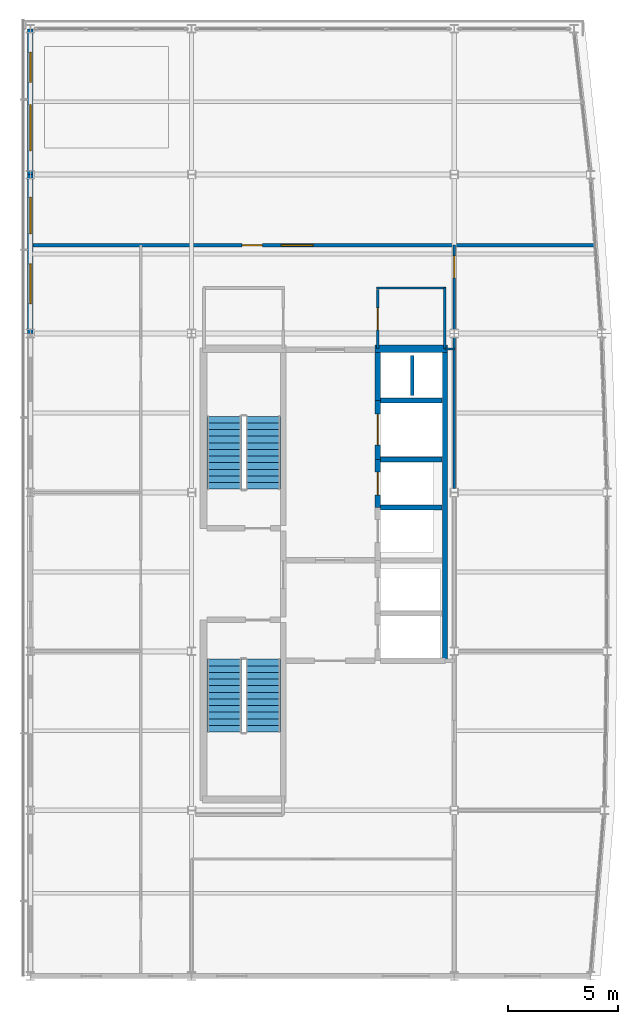
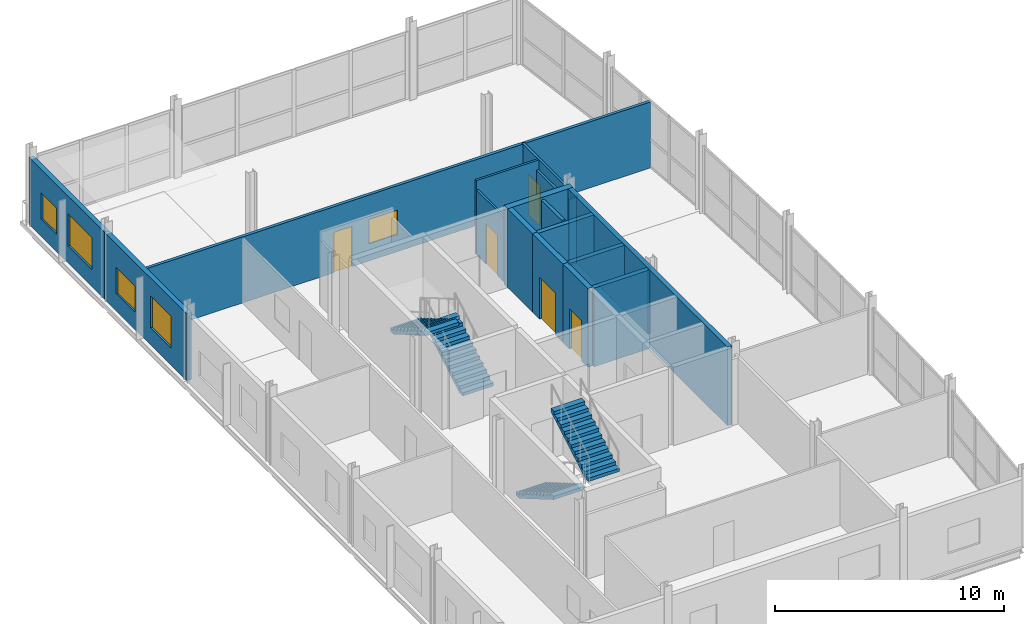
# One storey, part 13 of 16: 18 walls, 5 doors, 5 windows, 4 stair flights, 10 openings, 2 elements without a shape of their own.
"""IFC4 building model written with IfcOpenShell, lengths in metres."""

from ifc_helpers import new_model, si_unit, direction, frame, frame_2d, origin, place, context, subcontext, project, spatial, polyline, rectangle, outline, extrude, material, layer, layer_set, type_object, element, fill, aggregate, save


model = new_model("IFC4")

# Units and contexts
model_context = context("Model", 3, precision=1e-05, world=origin(), true_north=direction((0.0, 1.0)))
body_context = subcontext(model_context, "Body", "Model", "MODEL_VIEW")
ifc_project = project(units=[si_unit("LENGTHUNIT", "METRE"), si_unit("AREAUNIT", "SQUARE_METRE"), si_unit("VOLUMEUNIT", "CUBIC_METRE"), si_unit("PLANEANGLEUNIT", "RADIAN"), si_unit("MASSUNIT", "GRAM", prefix="KILO")], contexts=[model_context])

# Site, building, storey
site_placement = place(None, origin())
site = spatial("IfcSite", under=ifc_project, at=site_placement, CompositionType="ELEMENT")
building_placement = place(site_placement, origin())
building = spatial("IfcBuilding", under=site, at=building_placement, Name="Quillay Park Conservatory", CompositionType="ELEMENT")
storey_placement = place(building_placement, frame((0.0, 0.0, 39.300048828125)))
storey = spatial("IfcBuildingStorey", under=building, at=storey_placement, Name="L09", CompositionType="ELEMENT", Elevation=39.300048828125)

# Wall
ifc_material_1 = material(Name="Steel-Stud Acoustic Gypsum Board Partition", Category="steel")
ifc_layer_1 = layer(ifc_material_1, 0.10009765625)
ifc_layer_set_1 = layer_set([ifc_layer_1], Name="ACOUSTIC GYPSUM PARTITION 100 (Steel-Stud Acoustic Gypsum Board Partition)")
wall_type_1 = type_object("IfcWallType", Name="ACOUSTIC GYPSUM PARTITION 100", PredefinedType="PARTITIONING", material=ifc_layer_set_1)
wall_1_placement = place(storey_placement, frame((19.75, 98.89990234375, 0.0), z_axis=(0.0, 0.0, 1.0), x_axis=(-1.0, 0.0, 0.0)))
element("IfcWall", 1, at=wall_1_placement, inside=storey, type_object=wall_type_1, Name="L09 Core North-East Closure", PredefinedType="PARTITIONING", context=body_context, shape_type="SweptSolid", body=[
    extrude(rectangle(XDim=0.429931640625, YDim=0.10009765625, at=frame_2d((0.21484375, 0.0))), origin(), (0.0, 0.0, 1.0), 3.52685546875),
])

# Wall, opening, door
ifc_material_2 = material(Name="Steel-Stud Acoustic Gypsum Board Partition", Category="steel")
ifc_layer_2 = layer(ifc_material_2, 0.10498046875)
ifc_layer_set_2 = layer_set([ifc_layer_2], Name="ACOUSTIC GYPSUM PARTITION 105 (Steel-Stud Acoustic Gypsum Board Partition)")
wall_type_2 = type_object("IfcWallType", Name="ACOUSTIC GYPSUM PARTITION 105", PredefinedType="PARTITIONING", material=ifc_layer_set_2)
wall_2_placement = place(storey_placement, frame((16.280029296875, 98.919921875, 0.0), z_axis=(0.0, 0.0, 1.0), x_axis=(0.0, 1.0, 0.0)))
wall_2 = element("IfcWall", 2, at=wall_2_placement, inside=storey, type_object=wall_type_2, Name="L09 Washroom Door Wall", PredefinedType="PARTITIONING", context=body_context, shape_type="SweptSolid", body=[
    extrude(rectangle(XDim=2.68017578125, YDim=0.10498046875, at=frame_2d((1.340087890625, 0.0))), origin(), (0.0, 0.0, 1.0), 3.450927734375),
])
opening_1_placement = place(wall_2_placement, frame((0.840087890625, 0.0, 0.0)))
opening_1 = element("IfcOpeningElement", 3, at=opening_1_placement, cuts=wall_2, Name="Opening D-RM09", PredefinedType="OPENING", context=body_context, shape_type="SweptSolid", body=[
    extrude(rectangle(XDim=1.0, YDim=2.14990234375, at=frame_2d((0.5, 1.074951171875))), frame((0.0, 0.052490234375, 0.0), z_axis=(0.0, -1.0, 0.0), x_axis=(1.0, 0.0, 0.0)), (0.0, 0.0, 1.0), 0.10498046875),
])
ifc_material_3 = material(Name="Thermally Broken Anodised Aluminium 6063-T6", Category="aluminium")
door_type_1 = type_object("IfcDoorType", Name="SINGLE SWING DOOR 1000 X2150", OperationType="NOTDEFINED", PredefinedType="DOOR", material=ifc_material_3)
door_1_placement = place(opening_1_placement, origin())
door_1 = element("IfcDoor", 4, at=door_1_placement, inside=storey, type_object=door_type_1, Name="L09 Door to L09 Restroom and Washroom", OperationType="SINGLE_SWING_RIGHT", OverallHeight=2.14990234375, OverallWidth=1.0, PredefinedType="DOOR", context=body_context, shape_type="SweptSolid", body=[
    extrude(rectangle(XDim=1.0, YDim=2.14990234375, at=frame_2d((0.5, 1.074951171875))), frame((0.0, 0.02490234375, 0.0), z_axis=(0.0, -1.0, 0.0), x_axis=(1.0, 0.0, 0.0)), (0.0, 0.0, 1.0), 0.050048828125),
])
fill(opening_1, door_1)

# Walls
ifc_material_4 = material(Name="Steel-Stud Acoustic Gypsum Board Partition", Category="steel")
ifc_layer_3 = layer(ifc_material_4, 0.110107421875)
ifc_layer_set_3 = layer_set([ifc_layer_3], Name="ACOUSTIC GYPSUM PARTITION 110 (Steel-Stud Acoustic Gypsum Board Partition)")
wall_type_3 = type_object("IfcWallType", Name="ACOUSTIC GYPSUM PARTITION 110", PredefinedType="PARTITIONING", material=ifc_layer_set_3)
wall_3_placement = place(storey_placement, frame((19.3798828125, 101.659912109375, 0.0), z_axis=(0.0, 0.0, 1.0), x_axis=(-1.0, 0.0, 0.0)))
element("IfcWall", 5, at=wall_3_placement, inside=storey, type_object=wall_type_3, Name="L09 Washroom North Wall", PredefinedType="PARTITIONING", context=body_context, shape_type="SweptSolid", body=[
    extrude(rectangle(XDim=3.159912109375, YDim=0.110107421875, at=frame_2d((1.580078125, 0.0))), origin(), (0.0, 0.0, 1.0), 3.949951171875),
])
ifc_material_5 = material(Name="Steel-Stud Acoustic Gypsum Board Partition", Category="steel")
ifc_layer_4 = layer(ifc_material_5, 0.114990234375)
ifc_layer_set_4 = layer_set([ifc_layer_4], Name="ACOUSTIC GYPSUM PARTITION 115 (Steel-Stud Acoustic Gypsum Board Partition)")
wall_type_4 = type_object("IfcWallType", Name="ACOUSTIC GYPSUM PARTITION 115", PredefinedType="PARTITIONING", material=ifc_layer_set_4)
wall_4_placement = place(storey_placement, frame((19.320068359375, 98.919921875, 0.0), z_axis=(0.0, 0.0, 1.0), x_axis=(0.0, 1.0, 0.0)))
element("IfcWall", 6, at=wall_4_placement, inside=storey, type_object=wall_type_4, Name="L09 Washroom East Wall", PredefinedType="PARTITIONING", context=body_context, shape_type="SweptSolid", body=[
    extrude(rectangle(XDim=2.739990234375, YDim=0.114990234375, at=frame_2d((1.3701171875, 0.0))), origin(), (0.0, 0.0, 1.0), 3.450927734375),
])

# Wall, opening, door
ifc_material_6 = material(Name="Steel-Stud Acoustic Gypsum Board Partition", Category="steel")
ifc_layer_5 = layer(ifc_material_6, 0.1201171875)
ifc_layer_set_5 = layer_set([ifc_layer_5], Name="ACOUSTIC GYPSUM PARTITION 120 (Steel-Stud Acoustic Gypsum Board Partition)")
wall_type_5 = type_object("IfcWallType", Name="ACOUSTIC GYPSUM PARTITION 120", PredefinedType="PARTITIONING", material=ifc_layer_set_5)
wall_5_placement = place(storey_placement, frame((19.75, 99.777099609375, 0.0), z_axis=(0.0, 0.0, 1.0), x_axis=(0.0, 1.0, 0.0)))
wall_5 = element("IfcWall", 7, at=wall_5_placement, inside=storey, type_object=wall_type_5, Name="L09 L09 Genomics Bioassay Wet Laboratory West Wall 3", PredefinedType="PARTITIONING", context=body_context, shape_type="SweptSolid", body=[
    extrude(rectangle(XDim=3.822998046875, YDim=0.1201171875, at=frame_2d((1.91162109375, 0.0))), origin(), (0.0, 0.0, 1.0), 3.52685546875),
])
opening_2_placement = place(wall_5_placement, frame((2.343017578125, 0.0, 0.0)))
opening_2 = element("IfcOpeningElement", 8, at=opening_2_placement, cuts=wall_5, Name="Opening D-RM09", PredefinedType="OPENING", context=body_context, shape_type="SweptSolid", body=[
    extrude(rectangle(XDim=1.0, YDim=2.14990234375, at=frame_2d((0.5, 1.074951171875))), frame((0.0, 0.06005859375, 0.0), z_axis=(0.0, -1.0, 0.0), x_axis=(1.0, 0.0, 0.0)), (0.0, 0.0, 1.0), 0.1201171875),
])
door_2_placement = place(opening_2_placement, origin())
door_2 = element("IfcDoor", 9, at=door_2_placement, inside=storey, type_object=door_type_1, Name="L09 Door to L09 Genomics Bioassay Wet Laboratory", OperationType="SINGLE_SWING_LEFT", OverallHeight=2.14990234375, OverallWidth=1.0, PredefinedType="DOOR", context=body_context, shape_type="SweptSolid", body=[
    extrude(rectangle(XDim=1.0, YDim=2.14990234375, at=frame_2d((0.5, 1.074951171875))), frame((0.0, 0.02490234375, 0.0), z_axis=(0.0, -1.0, 0.0), x_axis=(1.0, 0.0, 0.0)), (0.0, 0.0, 1.0), 0.050048828125),
])
fill(opening_2, door_2)

# Wall
ifc_material_7 = material(Name="Steel-Stud Acoustic Gypsum Board Partition", Category="steel")
ifc_layer_6 = layer(ifc_material_7, 0.125)
ifc_layer_set_6 = layer_set([ifc_layer_6], Name="ACOUSTIC GYPSUM PARTITION 125 (Steel-Stud Acoustic Gypsum Board Partition)")
wall_type_6 = type_object("IfcWallType", Name="ACOUSTIC GYPSUM PARTITION 125", PredefinedType="PARTITIONING", material=ifc_layer_set_6)
wall_6_placement = place(storey_placement, frame((19.75, 92.58056640625, 0.0), z_axis=(0.0, 0.0, 1.0), x_axis=(0.0, 1.0, 0.0)))
element("IfcWall", 10, at=wall_6_placement, inside=storey, type_object=wall_type_6, Name="L09 L09 Genomics Bioassay Wet Laboratory West Wall 2", PredefinedType="PARTITIONING", context=body_context, shape_type="SweptSolid", body=[
    extrude(rectangle(XDim=6.842529296875, YDim=0.125, at=frame_2d((3.42138671875, 0.0))), origin(), (0.0, 0.0, 1.0), 3.52685546875),
])

# Wall, openings, window, door
ifc_material_8 = material(Name="Steel-Stud Acoustic Gypsum Board Partition", Category="steel")
ifc_layer_7 = layer(ifc_material_8, 0.14990234375)
ifc_layer_set_7 = layer_set([ifc_layer_7], Name="ACOUSTIC GYPSUM PARTITION 150 (Steel-Stud Acoustic Gypsum Board Partition)")
wall_type_7 = type_object("IfcWallType", Name="ACOUSTIC GYPSUM PARTITION 150", PredefinedType="PARTITIONING", material=ifc_layer_set_7)
wall_7_placement = place(storey_placement, frame((0.64990234375, 103.60009765625, 0.0), z_axis=(0.0, 0.0, 1.0), x_axis=(1.0, 0.0, 0.0)))
wall_7 = element("IfcWall", 11, at=wall_7_placement, inside=storey, type_object=wall_type_7, Name="L09 L09 Plant Genomics Sequencing Research Laboratory South Wall", PredefinedType="PARTITIONING", context=body_context, shape_type="SweptSolid", body=[
    extrude(rectangle(XDim=25.51513671875, YDim=0.14990234375, at=frame_2d((12.757568359375, 0.0))), origin(), (0.0, 0.0, 1.0), 3.52685546875),
])
opening_3_placement = place(wall_7_placement, frame((9.489990234375, 0.0, 0.0)))
opening_3 = element("IfcOpeningElement", 12, at=opening_3_placement, cuts=wall_7, Name="Opening D-RM07", PredefinedType="OPENING", context=body_context, shape_type="SweptSolid", body=[
    extrude(rectangle(XDim=0.919921875, YDim=2.14990234375, at=frame_2d((0.4599609375, 1.074951171875))), frame((0.0, 0.074951171875, 0.0), z_axis=(0.0, -1.0, 0.0), x_axis=(1.0, 0.0, 0.0)), (0.0, 0.0, 1.0), 0.14990234375),
])
opening_4_placement = place(wall_7_placement, frame((11.260009765625, 0.0, 0.919921875)))
opening_4 = element("IfcOpeningElement", 13, at=opening_4_placement, cuts=wall_7, Name="Opening W-IN12", PredefinedType="OPENING", context=body_context, shape_type="SweptSolid", body=[
    extrude(rectangle(XDim=1.449951171875, YDim=1.300048828125, at=frame_2d((0.72509765625, 0.64990234375))), frame((0.0, 0.074951171875, 0.0), z_axis=(0.0, -1.0, 0.0), x_axis=(1.0, 0.0, 0.0)), (0.0, 0.0, 1.0), 0.14990234375),
])
ifc_material_9 = material(Name="Low-E Double Glazing (Laminated Tempered)", Category="glass")
window_type_1 = type_object("IfcWindowType", Name="OPERABLE VENT WINDOW 1450 X1300", PartitioningType="SINGLE_PANEL", PredefinedType="WINDOW", material=ifc_material_9)
window_1_placement = place(opening_4_placement, origin())
window_1 = element("IfcWindow", 14, at=window_1_placement, inside=storey, type_object=window_type_1, Name="L09 Laboratory Vision Panel 036", OverallHeight=1.300048828125, OverallWidth=1.449951171875, PartitioningType="SINGLE_PANEL", PredefinedType="WINDOW", context=body_context, shape_type="SweptSolid", body=[
    extrude(rectangle(XDim=1.449951171875, YDim=1.300048828125, at=frame_2d((0.72509765625, 0.64990234375))), frame((0.0, 0.030029296875, 0.0), z_axis=(0.0, -1.0, 0.0), x_axis=(1.0, 0.0, 0.0)), (0.0, 0.0, 1.0), 0.06005859375),
])
fill(opening_4, window_1)
ifc_material_10 = material(Name="Thermally Broken Anodised Aluminium 6063-T6", Category="aluminium")
door_type_2 = type_object("IfcDoorType", Name="SINGLE SWING DOOR 920 X2150", OperationType="NOTDEFINED", PredefinedType="DOOR", material=ifc_material_10)
door_3_placement = place(opening_3_placement, origin())
door_3 = element("IfcDoor", 15, at=door_3_placement, inside=storey, type_object=door_type_2, Name="L09 Door to L09 Plant Genomics Sequencing Research Laboratory", OperationType="SINGLE_SWING_LEFT", OverallHeight=2.14990234375, OverallWidth=0.919921875, PredefinedType="DOOR", context=body_context, shape_type="SweptSolid", body=[
    extrude(rectangle(XDim=0.919921875, YDim=2.14990234375, at=frame_2d((0.4599609375, 1.074951171875))), frame((0.0, 0.02490234375, 0.0), z_axis=(0.0, -1.0, 0.0), x_axis=(1.0, 0.0, 0.0)), (0.0, 0.0, 1.0), 0.050048828125),
])
fill(opening_3, door_3)

# Walls
ifc_material_11 = material(Name="Concrete C35/45 (NCh170 Concrete C35/45)", Category="concrete")
ifc_layer_8 = layer(ifc_material_11, 0.22509765625)
ifc_layer_set_8 = layer_set([ifc_layer_8], Name="CORE SHEAR WALL 225 (Concrete C35/45 (NCh170 Concrete C35/45))")
wall_type_8 = type_object("IfcWallType", Name="CORE SHEAR WALL 225", PredefinedType="SHEAR", material=ifc_layer_set_8)
wall_8_placement = place(storey_placement, frame((19.320068359375, 84.800048828125, 0.0), z_axis=(0.0, 0.0, 1.0), x_axis=(0.0, 1.0, 0.0)))
element("IfcWall", 16, at=wall_8_placement, inside=storey, type_object=wall_type_8, Name="L09 Core Shear Wall WL-LFBACK-L09", PredefinedType="SHEAR", context=body_context, shape_type="SweptSolid", body=[
    extrude(rectangle(XDim=13.949951171875, YDim=0.22509765625, at=frame_2d((6.97509765625, 0.0))), origin(), (0.0, 0.0, 1.0), 4.199951171875),
])
for number, where, z_axis, x_axis, name in (
    (17, (16.39990234375, 91.72509765625, 0.0), (0.0, 0.0, 1.0), (1.0, 0.0, 0.0), "L09 Core Shear Wall WL-LFDIV-L09-917"),
    (18, (16.39990234375, 93.89990234375, 0.0), (0.0, 0.0, 1.0), (1.0, 0.0, 0.0), "L09 Core Shear Wall WL-LFDIV-L09-939"),
    (19, (16.39990234375, 96.574951171875, 0.0), (0.0, 0.0, 1.0), (1.0, 0.0, 0.0), "L09 Core Shear Wall WL-LFDIV-L09-965"),
):
    element("IfcWall", number, at=place(storey_placement, frame(where, z_axis=z_axis, x_axis=x_axis)), inside=storey, type_object=wall_type_8, Name=name, PredefinedType="SHEAR", context=body_context, shape_type="SweptSolid", body=[
        extrude(rectangle(XDim=2.800048828125, YDim=0.22509765625, at=frame_2d((1.39990234375, 0.0))), origin(), (0.0, 0.0, 1.0), 4.199951171875),
    ])

# Wall, opening, door
ifc_material_12 = material(Name="Concrete C40/50 (NCh170 Concrete C40/50)", Category="concrete")
ifc_layer_9 = layer(ifc_material_12, 0.25)
ifc_layer_set_9 = layer_set([ifc_layer_9], Name="CORE SHEAR WALL 250 (Concrete C40/50 (NCh170 Concrete C40/50))")
wall_type_9 = type_object("IfcWallType", Name="CORE SHEAR WALL 250", PredefinedType="SHEAR", material=ifc_layer_set_9)
wall_9_placement = place(storey_placement, frame((16.27490234375, 91.72509765625, 0.0), z_axis=(0.0, 0.0, 1.0), x_axis=(0.0, 1.0, 0.0)))
wall_9 = element("IfcWall", 20, at=wall_9_placement, inside=storey, type_object=wall_type_9, Name="L09 Core Shear Wall WL-LFFR-L09-LF-P2", PredefinedType="SHEAR", context=body_context, shape_type="SweptSolid", body=[
    extrude(rectangle(XDim=2.1748046875, YDim=0.25, at=frame_2d((1.08740234375, 0.0))), origin(), (0.0, 0.0, 1.0), 4.199951171875),
])
opening_5_placement = place(wall_9_placement, frame((0.550048828125, 0.0, 0.0)))
opening_5 = element("IfcOpeningElement", 21, at=opening_5_placement, cuts=wall_9, Name="Opening LD02", PredefinedType="OPENING", context=body_context, shape_type="SweptSolid", body=[
    extrude(rectangle(XDim=1.050048828125, YDim=2.14990234375, at=frame_2d((0.52490234375, 1.074951171875))), frame((0.0, 0.125, 0.0), z_axis=(0.0, -1.0, 0.0), x_axis=(1.0, 0.0, 0.0)), (0.0, 0.0, 1.0), 0.25),
])
ifc_material_13 = material(Name="Steel ASTM A572 Grade 50", Category="steel")
door_type_3 = type_object("IfcDoorType", Name="LIFT LANDING SLIDING DOOR 1050 X2150", OperationType="NOTDEFINED", PredefinedType="DOOR", material=ifc_material_13)
door_4_placement = place(opening_5_placement, origin())
door_4 = element("IfcDoor", 22, at=door_4_placement, inside=storey, type_object=door_type_3, Name="L09 LF-P2 Lift Landing Door LD02", OperationType="SLIDING_TO_LEFT", OverallHeight=2.14990234375, OverallWidth=1.050048828125, PredefinedType="DOOR", context=body_context, shape_type="SweptSolid", body=[
    extrude(rectangle(XDim=1.050048828125, YDim=2.14990234375, at=frame_2d((0.52490234375, 1.074951171875))), frame((0.0, 0.02490234375, 0.0), z_axis=(0.0, -1.0, 0.0), x_axis=(1.0, 0.0, 0.0)), (0.0, 0.0, 1.0), 0.050048828125),
])
fill(opening_5, door_4)

wall_10_placement = place(storey_placement, frame((16.27490234375, 93.89990234375, 0.0), z_axis=(0.0, 0.0, 1.0), x_axis=(0.0, 1.0, 0.0)))
wall_10 = element("IfcWall", 23, at=wall_10_placement, inside=storey, type_object=wall_type_9, Name="L09 Core Shear Wall WL-LFFR-L09-LF-G1", PredefinedType="SHEAR", context=body_context, shape_type="SweptSolid", body=[
    extrude(rectangle(XDim=2.675048828125, YDim=0.25, at=frame_2d((1.33740234375, 0.0))), origin(), (0.0, 0.0, 1.0), 4.199951171875),
])
opening_6_placement = place(wall_10_placement, frame((0.64990234375, 0.0, 0.0)))
opening_6 = element("IfcOpeningElement", 24, at=opening_6_placement, cuts=wall_10, Name="Opening LD03", PredefinedType="OPENING", context=body_context, shape_type="SweptSolid", body=[
    extrude(rectangle(XDim=1.39990234375, YDim=2.25, at=frame_2d((0.699951171875, 1.125))), frame((0.0, 0.125, 0.0), z_axis=(0.0, -1.0, 0.0), x_axis=(1.0, 0.0, 0.0)), (0.0, 0.0, 1.0), 0.25),
])
ifc_material_14 = material(Name="Steel ASTM A572 Grade 50", Category="steel")
door_type_4 = type_object("IfcDoorType", Name="LIFT LANDING SLIDING DOOR 1400 X2250", OperationType="NOTDEFINED", PredefinedType="DOOR", material=ifc_material_14)
door_5_placement = place(opening_6_placement, origin())
door_5 = element("IfcDoor", 25, at=door_5_placement, inside=storey, type_object=door_type_4, Name="L09 LF-G1 Lift Landing Door LD03", OperationType="SLIDING_TO_LEFT", OverallHeight=2.25, OverallWidth=1.39990234375, PredefinedType="DOOR", context=body_context, shape_type="SweptSolid", body=[
    extrude(rectangle(XDim=1.39990234375, YDim=2.25, at=frame_2d((0.699951171875, 1.125))), frame((0.0, 0.02490234375, 0.0), z_axis=(0.0, -1.0, 0.0), x_axis=(1.0, 0.0, 0.0)), (0.0, 0.0, 1.0), 0.050048828125),
])
fill(opening_6, door_5)

# Walls
wall_11_placement = place(storey_placement, frame((16.27490234375, 96.574951171875, 0.0), z_axis=(0.0, 0.0, 1.0), x_axis=(0.0, 1.0, 0.0)))
element("IfcWall", 26, at=wall_11_placement, inside=storey, type_object=wall_type_9, Name="L09 Core Shear Wall WL-MEPR-L09", PredefinedType="SHEAR", context=body_context, shape_type="SweptSolid", body=[
    extrude(rectangle(XDim=2.175048828125, YDim=0.25, at=frame_2d((1.08740234375, 0.0))), origin(), (0.0, 0.0, 1.0), 4.199951171875),
])
ifc_material_15 = material(Name="Concrete C40/50 (NCh170 Concrete C40/50)", Category="concrete")
ifc_layer_10 = layer(ifc_material_15, 0.320068359375)
ifc_layer_set_10 = layer_set([ifc_layer_10], Name="CORE SHEAR WALL 320 (Concrete C40/50 (NCh170 Concrete C40/50))")
wall_type_10 = type_object("IfcWallType", Name="CORE SHEAR WALL 320", PredefinedType="SHEAR", material=ifc_layer_set_10)
wall_12_placement = place(storey_placement, frame((16.14990234375, 98.909912109375, 0.0), z_axis=(0.0, 0.0, 1.0), x_axis=(1.0, 0.0, 0.0)))
element("IfcWall", 27, at=wall_12_placement, inside=storey, type_object=wall_type_10, Name="L09 Core Shear Wall WL-TCN-E-L09", PredefinedType="SHEAR", context=body_context, shape_type="SweptSolid", body=[
    extrude(rectangle(XDim=3.300048828125, YDim=0.320068359375, at=frame_2d((1.64990234375, 0.0))), origin(), (0.0, 0.0, 1.0), 4.199951171875),
])

# Wall, openings, windows
ifc_material_16 = material(Name="Glass-Fibre Reinforced Concrete (GRC) Cladding", Category="concrete")
ifc_layer_11 = layer(ifc_material_16, 0.239990234375)
ifc_layer_set_11 = layer_set([ifc_layer_11], Name="EXTERIOR SOLID WALL 240 (Glass-Fibre Reinforced Concrete (GRC) Cladding)")
wall_type_11 = type_object("IfcWallType", Name="EXTERIOR SOLID WALL 240", PredefinedType="SOLIDWALL", material=ifc_layer_set_11)
wall_13_placement = place(storey_placement, frame((0.550048828125, 99.60009765625, 0.0), z_axis=(0.0, 0.0, 1.0), x_axis=(0.0, 1.0, 0.0)))
wall_13 = element("IfcWall", 28, at=wall_13_placement, inside=storey, type_object=wall_type_11, Name="L09 External Wall WL-EXT-V4W-L09-4", PredefinedType="SOLIDWALL", context=body_context, shape_type="SweptSolid", body=[
    extrude(rectangle(XDim=7.199951171875, YDim=0.239990234375, at=frame_2d((3.60009765625, 0.0))), origin(), (0.0, 0.0, 1.0), 3.576904296875),
])
opening_7_placement = place(wall_13_placement, frame((1.35498046875, 0.0, 0.919921875)))
opening_7 = element("IfcOpeningElement", 29, at=opening_7_placement, cuts=wall_13, Name="Opening W-14", PredefinedType="OPENING", context=body_context, shape_type="SweptSolid", body=[
    extrude(rectangle(XDim=1.800048828125, YDim=1.699951171875, at=frame_2d((0.89990234375, 0.85009765625))), frame((0.0, 0.1201171875, 0.0), z_axis=(0.0, -1.0, 0.0), x_axis=(1.0, 0.0, 0.0)), (0.0, 0.0, 1.0), 0.239990234375),
])
opening_8_placement = place(wall_13_placement, frame((4.52001953125, 0.0, 0.919921875)))
opening_8 = element("IfcOpeningElement", 30, at=opening_8_placement, cuts=wall_13, Name="Opening W-04", PredefinedType="OPENING", context=body_context, shape_type="SweptSolid", body=[
    extrude(rectangle(XDim=1.64990234375, YDim=1.39990234375, at=frame_2d((0.824951171875, 0.699951171875))), frame((0.0, 0.1201171875, 0.0), z_axis=(0.0, -1.0, 0.0), x_axis=(1.0, 0.0, 0.0)), (0.0, 0.0, 1.0), 0.239990234375),
])
ifc_material_17 = material(Name="Low-E Double Glazing (Laminated Tempered)", Category="glass")
window_type_2 = type_object("IfcWindowType", Name="FIXED CASEMENT WINDOW 1650 X1400", PartitioningType="DOUBLE_PANEL_VERTICAL", PredefinedType="WINDOW", material=ifc_material_17)
window_2_placement = place(opening_8_placement, origin())
window_2 = element("IfcWindow", 31, at=window_2_placement, inside=storey, type_object=window_type_2, Name="L09 Exterior Window 0228", OverallHeight=1.39990234375, OverallWidth=1.64990234375, PartitioningType="DOUBLE_PANEL_VERTICAL", PredefinedType="WINDOW", context=body_context, shape_type="SweptSolid", body=[
    extrude(rectangle(XDim=1.64990234375, YDim=1.39990234375, at=frame_2d((0.824951171875, 0.699951171875))), frame((0.0, 0.030029296875, 0.0), z_axis=(0.0, -1.0, 0.0), x_axis=(1.0, 0.0, 0.0)), (0.0, 0.0, 1.0), 0.06005859375),
])
fill(opening_8, window_2)
ifc_material_18 = material(Name="Low-E Double Glazing (Laminated Tempered)", Category="glass")
window_type_3 = type_object("IfcWindowType", Name="FIXED CASEMENT WINDOW 1800 X1700", PartitioningType="DOUBLE_PANEL_VERTICAL", PredefinedType="WINDOW", material=ifc_material_18)
window_3_placement = place(opening_7_placement, origin())
window_3 = element("IfcWindow", 32, at=window_3_placement, inside=storey, type_object=window_type_3, Name="L09 Exterior Window 0227", OverallHeight=1.699951171875, OverallWidth=1.800048828125, PartitioningType="DOUBLE_PANEL_VERTICAL", PredefinedType="WINDOW", context=body_context, shape_type="SweptSolid", body=[
    extrude(rectangle(XDim=1.800048828125, YDim=1.699951171875, at=frame_2d((0.89990234375, 0.85009765625))), frame((0.0, 0.030029296875, 0.0), z_axis=(0.0, -1.0, 0.0), x_axis=(1.0, 0.0, 0.0)), (0.0, 0.0, 1.0), 0.06005859375),
])
fill(opening_7, window_3)

wall_14_placement = place(storey_placement, frame((0.550048828125, 106.800048828125, 0.0), z_axis=(0.0, 0.0, 1.0), x_axis=(0.0, 1.0, 0.0)))
wall_14 = element("IfcWall", 33, at=wall_14_placement, inside=storey, type_object=wall_type_11, Name="L09 External Wall WL-EXT-V4W-L09-5", PredefinedType="SOLIDWALL", context=body_context, shape_type="SweptSolid", body=[
    extrude(rectangle(XDim=6.599853515625, YDim=0.239990234375, at=frame_2d((3.2998046875, 0.0))), origin(), (0.0, 0.0, 1.0), 3.576904296875),
])
opening_9_placement = place(wall_14_placement, frame((1.070068359375, 0.0, 0.919921875)))
opening_9 = element("IfcOpeningElement", 34, at=opening_9_placement, cuts=wall_14, Name="Opening W-15", PredefinedType="OPENING", context=body_context, shape_type="SweptSolid", body=[
    extrude(rectangle(XDim=2.10009765625, YDim=1.699951171875, at=frame_2d((1.050048828125, 0.85009765625))), frame((0.0, 0.1201171875, 0.0), z_axis=(0.0, -1.0, 0.0), x_axis=(1.0, 0.0, 0.0)), (0.0, 0.0, 1.0), 0.239990234375),
])
opening_10_placement = place(wall_14_placement, frame((4.179931640625, 0.0, 0.919921875)))
opening_10 = element("IfcOpeningElement", 35, at=opening_10_placement, cuts=wall_14, Name="Opening W-02", PredefinedType="OPENING", context=body_context, shape_type="SweptSolid", body=[
    extrude(rectangle(XDim=1.35009765625, YDim=1.39990234375, at=frame_2d((0.675048828125, 0.699951171875))), frame((0.0, 0.1201171875, 0.0), z_axis=(0.0, -1.0, 0.0), x_axis=(1.0, 0.0, 0.0)), (0.0, 0.0, 1.0), 0.239990234375),
])
ifc_material_19 = material(Name="Low-E Double Glazing (Laminated Tempered)", Category="glass")
window_type_4 = type_object("IfcWindowType", Name="FIXED CASEMENT WINDOW 1350 X1400", PartitioningType="SINGLE_PANEL", PredefinedType="WINDOW", material=ifc_material_19)
window_4_placement = place(opening_10_placement, origin())
window_4 = element("IfcWindow", 36, at=window_4_placement, inside=storey, type_object=window_type_4, Name="L09 Exterior Window 0230", OverallHeight=1.39990234375, OverallWidth=1.35009765625, PartitioningType="SINGLE_PANEL", PredefinedType="WINDOW", context=body_context, shape_type="SweptSolid", body=[
    extrude(rectangle(XDim=1.35009765625, YDim=1.39990234375, at=frame_2d((0.675048828125, 0.699951171875))), frame((0.0, 0.030029296875, 0.0), z_axis=(0.0, -1.0, 0.0), x_axis=(1.0, 0.0, 0.0)), (0.0, 0.0, 1.0), 0.06005859375),
])
fill(opening_10, window_4)
ifc_material_20 = material(Name="Low-E Double Glazing (Laminated Tempered)", Category="glass")
window_type_5 = type_object("IfcWindowType", Name="FIXED CASEMENT WINDOW 2100 X1700", PartitioningType="DOUBLE_PANEL_VERTICAL", PredefinedType="WINDOW", material=ifc_material_20)
window_5_placement = place(opening_9_placement, origin())
window_5 = element("IfcWindow", 37, at=window_5_placement, inside=storey, type_object=window_type_5, Name="L09 Exterior Window 0229", OverallHeight=1.699951171875, OverallWidth=2.10009765625, PartitioningType="DOUBLE_PANEL_VERTICAL", PredefinedType="WINDOW", context=body_context, shape_type="SweptSolid", body=[
    extrude(rectangle(XDim=2.10009765625, YDim=1.699951171875, at=frame_2d((1.050048828125, 0.85009765625))), frame((0.0, 0.030029296875, 0.0), z_axis=(0.0, -1.0, 0.0), x_axis=(1.0, 0.0, 0.0)), (0.0, 0.0, 1.0), 0.06005859375),
])
fill(opening_9, window_5)

# Wall
ifc_material_21 = material(Name="Steel-Stud Acoustic Gypsum Board Partition", Category="steel")
ifc_layer_12 = layer(ifc_material_21, 0.155029296875)
ifc_layer_set_12 = layer_set([ifc_layer_12], Name="PLUMBING SHAFT WALL 155 (Steel-Stud Acoustic Gypsum Board Partition)")
wall_type_12 = type_object("IfcWallType", Name="PLUMBING SHAFT WALL 155", PredefinedType="PLUMBINGWALL", material=ifc_layer_set_12)
wall_15_placement = place(storey_placement, frame((17.85009765625, 96.800048828125, 0.0), z_axis=(0.0, 0.0, 1.0), x_axis=(0.0, 1.0, 0.0)))
element("IfcWall", 38, at=wall_15_placement, inside=storey, type_object=wall_type_12, Name="L09 Plumbing Riser Wall", PredefinedType="PLUMBINGWALL", context=body_context, shape_type="SweptSolid", body=[
    extrude(rectangle(XDim=1.800048828125, YDim=0.155029296875, at=frame_2d((0.89990234375, 0.0))), origin(), (0.0, 0.0, 1.0), 4.199951171875),
])

# Stair, stair flights
ifc_material_22 = material(Name="Concrete C35/45 (NCh170 Concrete C35/45)", Category="concrete")
stair_type = type_object("IfcStairType", Name="ENCLOSED DOG LEG STAIR 4200", PredefinedType="HALF_TURN_STAIR", material=ifc_material_22)
stair_1_placement = place(storey_placement, origin())
stair_1 = element("IfcStair", 39, at=stair_1_placement, inside=storey, type_object=stair_type, Name="L09 Tower Protected Exit Stair 1", PredefinedType="HALF_TURN_STAIR")
ifc_material_23 = material(Name="Concrete C35/45 (NCh170 Concrete C35/45)", Category="concrete")
stair_flight_type = type_object("IfcStairFlightType", Name="STRAIGHT STAIR FLIGHT 4200", PredefinedType="STRAIGHT", material=ifc_material_23)
stair_flight_1_placement = place(storey_placement, frame((11.090087890625, 92.550048828125, 0.0), z_axis=(0.0, 0.0, 1.0), x_axis=(0.0, 1.0, 0.0)))
stair_flight_1 = element("IfcStairFlight", 40, at=stair_flight_1_placement, type_object=stair_flight_type, Name="ST-T1 flight 1", NumberOfRisers=12, NumberOfTreads=11, PredefinedType="STRAIGHT", RiserHeight=0.175, TreadLength=0.3, context=body_context, shape_type="SweptSolid", body=[
    extrude(outline(polyline([(0.0, 0.0), (0.0, 0.175048828125), (0.300048828125, 0.175048828125), (0.300048828125, 0.35009765625), (0.60009765625, 0.35009765625), (0.60009765625, 0.52490234375), (0.89990234375, 0.52490234375), (0.89990234375, 0.699951171875), (1.199951171875, 0.699951171875), (1.199951171875, 0.875), (1.5, 0.875), (1.5, 1.050048828125), (1.800048828125, 1.050048828125), (1.800048828125, 1.22509765625), (2.10009765625, 1.22509765625), (2.10009765625, 1.39990234375), (2.39990234375, 1.39990234375), (2.39990234375, 1.574951171875), (2.699951171875, 1.574951171875), (2.699951171875, 1.75), (3.0, 1.75), (3.0, 1.925048828125), (3.300048828125, 1.925048828125), (3.300048828125, 2.10009765625), (3.300048828125, 1.75146484375), (0.297607421875, 0.0), (0.0, 0.0)])), frame((0.0, 0.780029296875, 0.0), z_axis=(0.0, -1.0, 0.0), x_axis=(1.0, 0.0, 0.0)), (0.0, 0.0, 1.0), 1.56005859375),
])
stair_flight_2_placement = place(storey_placement, frame((9.330078125, 95.85009765625, 2.099853515625), z_axis=(0.0, 0.0, 1.0), x_axis=(0.0, -1.0, 0.0)))
stair_flight_2 = element("IfcStairFlight", 41, at=stair_flight_2_placement, type_object=stair_flight_type, Name="ST-T1 flight 2", NumberOfRisers=12, NumberOfTreads=11, PredefinedType="STRAIGHT", RiserHeight=0.175, TreadLength=0.3, context=body_context, shape_type="SweptSolid", body=[
    extrude(outline(polyline([(0.0, 0.0), (0.0, 0.175048828125), (0.300048828125, 0.175048828125), (0.300048828125, 0.35009765625), (0.60009765625, 0.35009765625), (0.60009765625, 0.52490234375), (0.89990234375, 0.52490234375), (0.89990234375, 0.699951171875), (1.199951171875, 0.699951171875), (1.199951171875, 0.875), (1.5, 0.875), (1.5, 1.050048828125), (1.800048828125, 1.050048828125), (1.800048828125, 1.22509765625), (2.10009765625, 1.22509765625), (2.10009765625, 1.39990234375), (2.39990234375, 1.39990234375), (2.39990234375, 1.574951171875), (2.699951171875, 1.574951171875), (2.699951171875, 1.75), (3.0, 1.75), (3.0, 1.925048828125), (3.300048828125, 1.925048828125), (3.300048828125, 2.10009765625), (3.300048828125, 1.75146484375), (0.297607421875, 0.0), (0.0, 0.0)])), frame((0.0, 0.780029296875, 0.0), z_axis=(0.0, -1.0, 0.0), x_axis=(1.0, 0.0, 0.0)), (0.0, 0.0, 1.0), 1.56005859375),
])
aggregate(stair_1, [stair_flight_1, stair_flight_2])

stair_2_placement = place(storey_placement, origin())
stair_2 = element("IfcStair", 42, at=stair_2_placement, inside=storey, type_object=stair_type, Name="L09 Tower Protected Exit Stair 2", PredefinedType="HALF_TURN_STAIR")
stair_flight_3_placement = place(storey_placement, frame((9.330078125, 84.85009765625, 0.0), z_axis=(0.0, 0.0, 1.0), x_axis=(0.0, -1.0, 0.0)))
stair_flight_3 = element("IfcStairFlight", 43, at=stair_flight_3_placement, type_object=stair_flight_type, Name="ST-T2 flight 1", NumberOfRisers=12, NumberOfTreads=11, PredefinedType="STRAIGHT", RiserHeight=0.175, TreadLength=0.3, context=body_context, shape_type="SweptSolid", body=[
    extrude(outline(polyline([(0.0, 0.0), (0.0, 0.175048828125), (0.300048828125, 0.175048828125), (0.300048828125, 0.35009765625), (0.60009765625, 0.35009765625), (0.60009765625, 0.52490234375), (0.89990234375, 0.52490234375), (0.89990234375, 0.699951171875), (1.199951171875, 0.699951171875), (1.199951171875, 0.875), (1.5, 0.875), (1.5, 1.050048828125), (1.800048828125, 1.050048828125), (1.800048828125, 1.22509765625), (2.10009765625, 1.22509765625), (2.10009765625, 1.39990234375), (2.39990234375, 1.39990234375), (2.39990234375, 1.574951171875), (2.699951171875, 1.574951171875), (2.699951171875, 1.75), (3.0, 1.75), (3.0, 1.925048828125), (3.300048828125, 1.925048828125), (3.300048828125, 2.10009765625), (3.300048828125, 1.75146484375), (0.297607421875, 0.0), (0.0, 0.0)])), frame((0.0, 0.780029296875, 0.0), z_axis=(0.0, -1.0, 0.0), x_axis=(1.0, 0.0, 0.0)), (0.0, 0.0, 1.0), 1.56005859375),
])
stair_flight_4_placement = place(storey_placement, frame((11.090087890625, 81.550048828125, 2.099853515625), z_axis=(0.0, 0.0, 1.0), x_axis=(0.0, 1.0, 0.0)))
stair_flight_4 = element("IfcStairFlight", 44, at=stair_flight_4_placement, type_object=stair_flight_type, Name="ST-T2 flight 2", NumberOfRisers=12, NumberOfTreads=11, PredefinedType="STRAIGHT", RiserHeight=0.175, TreadLength=0.3, context=body_context, shape_type="SweptSolid", body=[
    extrude(outline(polyline([(0.0, 0.0), (0.0, 0.175048828125), (0.300048828125, 0.175048828125), (0.300048828125, 0.35009765625), (0.60009765625, 0.35009765625), (0.60009765625, 0.52490234375), (0.89990234375, 0.52490234375), (0.89990234375, 0.699951171875), (1.199951171875, 0.699951171875), (1.199951171875, 0.875), (1.5, 0.875), (1.5, 1.050048828125), (1.800048828125, 1.050048828125), (1.800048828125, 1.22509765625), (2.10009765625, 1.22509765625), (2.10009765625, 1.39990234375), (2.39990234375, 1.39990234375), (2.39990234375, 1.574951171875), (2.699951171875, 1.574951171875), (2.699951171875, 1.75), (3.0, 1.75), (3.0, 1.925048828125), (3.300048828125, 1.925048828125), (3.300048828125, 2.10009765625), (3.300048828125, 1.75146484375), (0.297607421875, 0.0), (0.0, 0.0)])), frame((0.0, 0.780029296875, 0.0), z_axis=(0.0, -1.0, 0.0), x_axis=(1.0, 0.0, 0.0)), (0.0, 0.0, 1.0), 1.56005859375),
])
aggregate(stair_2, [stair_flight_3, stair_flight_4])

save(model, "model.ifc")
